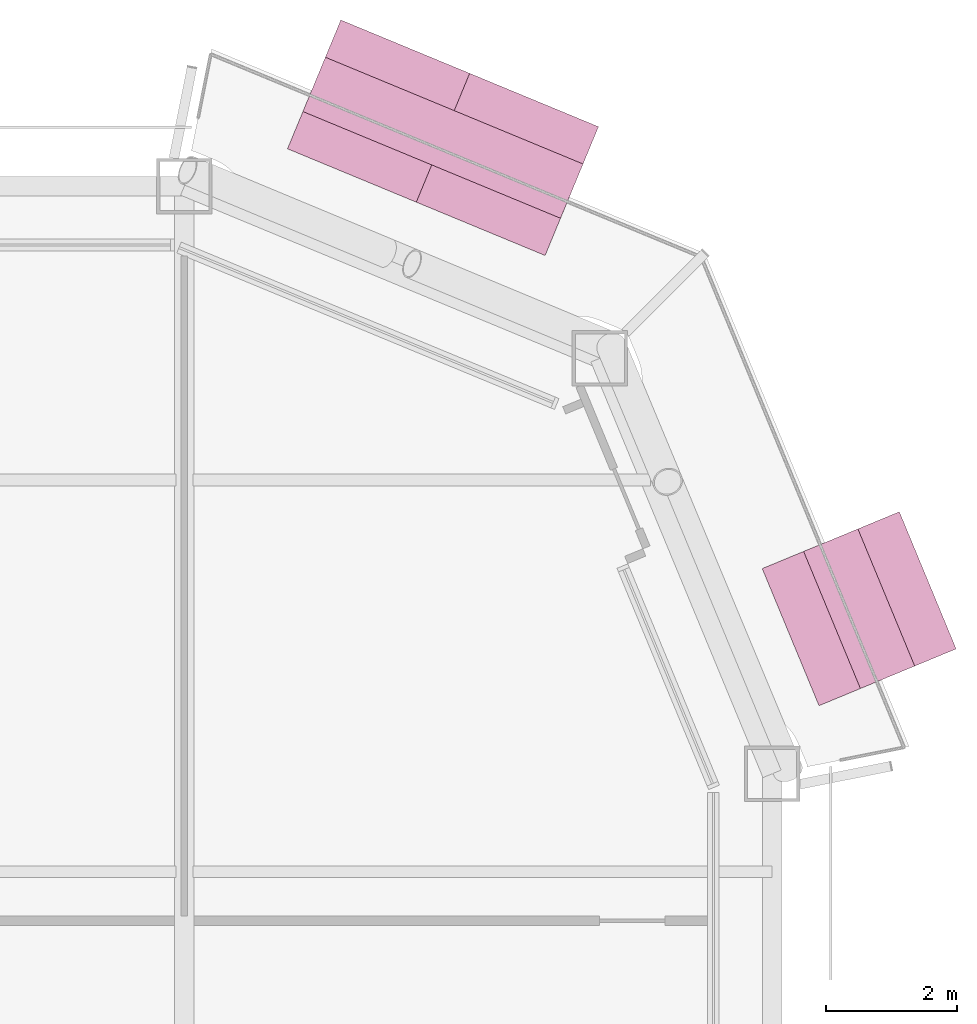
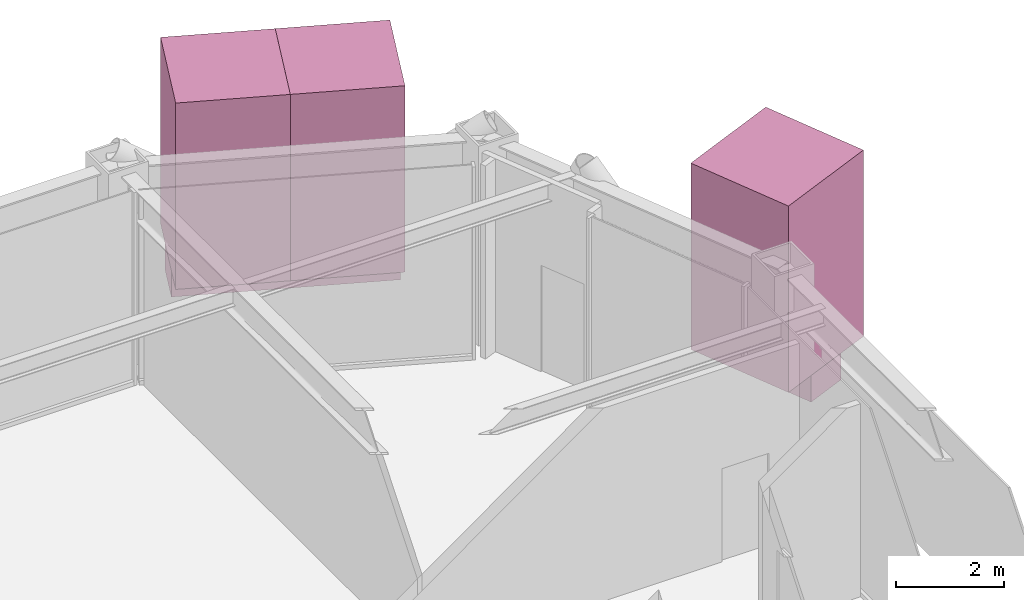
# One storey, part 23 of 23: 5 furnishings.
"""IFC4 building model written with IfcOpenShell, lengths in metres."""

from ifc_helpers import new_model, si_unit, direction, frame, origin, origin_2d, place, context, subcontext, project, spatial, rectangle, extrude, material, type_object, element, save


model = new_model("IFC4")

# Units and contexts
model_context = context("Model", 3, precision=1e-05, world=origin(), true_north=direction((0.0, 1.0)))
body_context = subcontext(model_context, "Body", "Model", "MODEL_VIEW")
ifc_project = project(units=[si_unit("LENGTHUNIT", "METRE"), si_unit("AREAUNIT", "SQUARE_METRE"), si_unit("VOLUMEUNIT", "CUBIC_METRE"), si_unit("PLANEANGLEUNIT", "RADIAN"), si_unit("MASSUNIT", "GRAM", prefix="KILO")], contexts=[model_context])

# Site, building, storey
site_placement = place(None, origin())
site = spatial("IfcSite", under=ifc_project, at=site_placement, CompositionType="ELEMENT")
building_placement = place(site_placement, origin())
building = spatial("IfcBuilding", under=site, at=building_placement, Name="Siwar Civic Tower", CompositionType="ELEMENT")
storey_placement = place(building_placement, frame((0.0, 0.0, 224.199951171875)))
storey = spatial("IfcBuildingStorey", under=building, at=storey_placement, Name="L48", CompositionType="ELEMENT", Elevation=224.199951171875)

# Furnishings
ifc_material_1 = material(Name="Planting soil and foliage")
furnishing_element_type_1 = type_object("IfcFurnishingElementType", Name="ENV-PLANTER", material=ifc_material_1)
furnishing_1_placement = place(storey_placement, frame((28.333984375, 20.5283203125, 0.0), z_axis=(0.0, 0.0, 1.0), x_axis=(-0.382683432365, 0.923879532511, 0.0)))
element("IfcFurnishingElement", 1, at=furnishing_1_placement, inside=storey, type_object=furnishing_element_type_1, Name="PLANTER NE 1", context=body_context, shape_type="SweptSolid", body=[
    extrude(rectangle(XDim=2.273193359375, YDim=0.89990234375, at=origin_2d()), origin(), (0.0, 0.0, 1.0), 0.60009765625),
])
furnishing_2_placement = place(storey_placement, frame((21.960205078125, 27.740966796875, 0.0), z_axis=(0.0, 0.0, 1.0), x_axis=(-0.923879532511, 0.382683432365, 0.0)))
element("IfcFurnishingElement", 2, at=furnishing_2_placement, inside=storey, type_object=furnishing_element_type_1, Name="PLANTER NE 2", context=body_context, shape_type="SweptSolid", body=[
    extrude(rectangle(XDim=4.270751953125, YDim=0.89990234375, at=origin_2d()), origin(), (0.0, 0.0, 1.0), 0.60009765625),
])
ifc_material_2 = material(Name="Planting soil and foliage")
furnishing_element_type_2 = type_object("IfcFurnishingElementType", Name="ENV-TREE", material=ifc_material_2)
furnishing_3_placement = place(storey_placement, frame((28.333984375, 20.5283203125, 0.60009765625), z_axis=(0.0, 0.0, 1.0), x_axis=(-0.382683432365, 0.923879532511, 0.0)))
element("IfcFurnishingElement", 3, at=furnishing_3_placement, inside=storey, type_object=furnishing_element_type_2, Name="PLANTER (TREE) NE 1.1", context=body_context, shape_type="SweptSolid", body=[
    extrude(rectangle(XDim=2.273193359375, YDim=2.273193359375, at=origin_2d()), origin(), (0.0, 0.0, 1.0), 4.199951171875),
])
for number, where, z_axis, x_axis, name in (
    (4, (22.94677734375, 27.332275390625, 0.60009765625), (0.0, 0.0, 1.0), (-0.923879532511, 0.382683432365, 0.0), "PLANTER (TREE) NE 2.1"),
    (5, (20.973876953125, 28.1494140625, 0.60009765625), (0.0, 0.0, 1.0), (-0.923879532511, 0.382683432365, 0.0), "PLANTER (TREE) NE 2.2"),
):
    element("IfcFurnishingElement", number, at=place(storey_placement, frame(where, z_axis=z_axis, x_axis=x_axis)), inside=storey, type_object=furnishing_element_type_2, Name=name, context=body_context, shape_type="SweptSolid", body=[
        extrude(rectangle(XDim=2.13525390625, YDim=2.13525390625, at=origin_2d()), origin(), (0.0, 0.0, 1.0), 4.199951171875),
    ])

save(model, "model.ifc")
